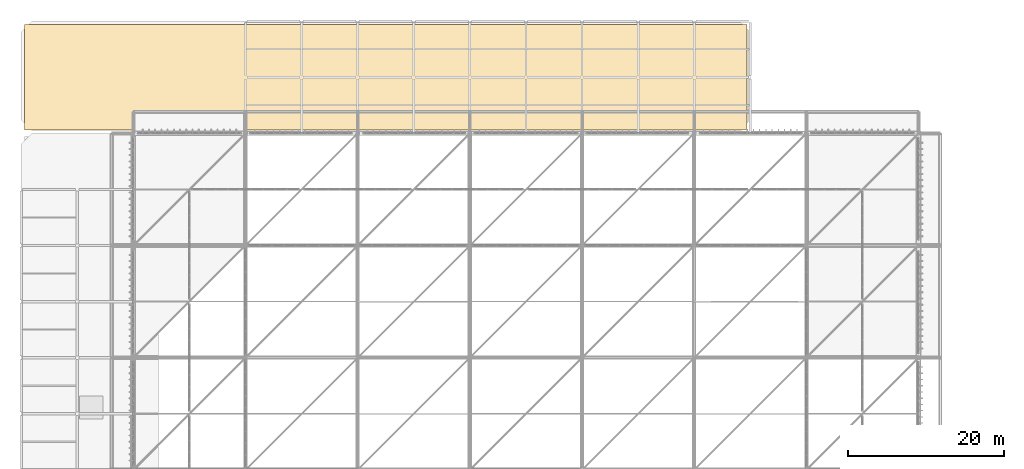
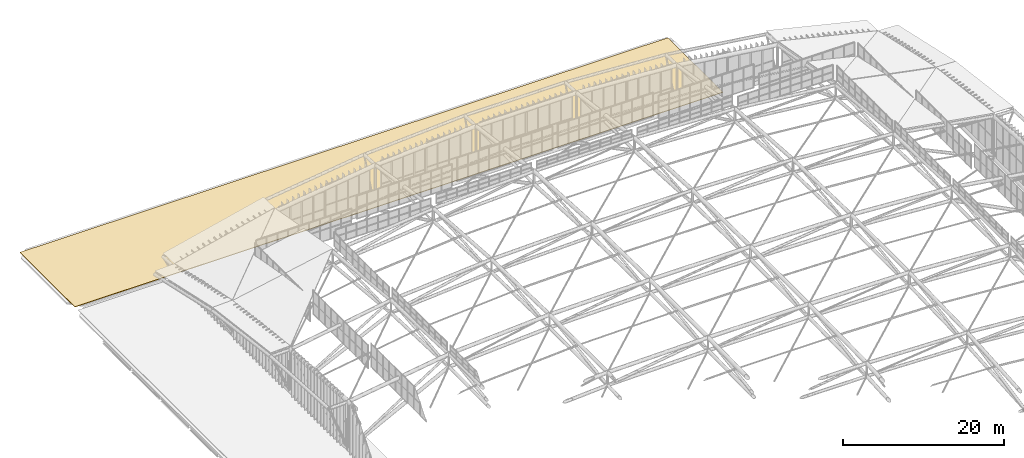
# One storey, part 394 of 397: 1 covering.
"""IFC4 building model written with IfcOpenShell, lengths in metres."""

from ifc_helpers import new_model, si_unit, direction, frame, origin, place, context, subcontext, project, spatial, polyline, outline, extrude, material, layer, layer_set, type_object, element, save


model = new_model("IFC4")

# Units and contexts
model_context = context("Model", 3, precision=1e-05, world=origin(), true_north=direction((0.0, 1.0)))
body_context = subcontext(model_context, "Body", "Model", "MODEL_VIEW")
ifc_project = project(units=[si_unit("LENGTHUNIT", "METRE"), si_unit("AREAUNIT", "SQUARE_METRE"), si_unit("VOLUMEUNIT", "CUBIC_METRE"), si_unit("PLANEANGLEUNIT", "RADIAN"), si_unit("MASSUNIT", "GRAM", prefix="KILO")], contexts=[model_context])

# Site, building, storey
site_placement = place(None, origin())
site = spatial("IfcSite", under=ifc_project, at=site_placement, CompositionType="ELEMENT")
building_placement = place(site_placement, origin())
building = spatial("IfcBuilding", under=site, at=building_placement, Name="Qandorah Velis Arena", CompositionType="ELEMENT")
storey_placement = place(building_placement, frame((0.0, 0.0, 27.5)))
storey = spatial("IfcBuildingStorey", under=building, at=storey_placement, Name="RF", CompositionType="ELEMENT", Elevation=27.5)

# Covering
ifc_material = material(Name="Insulated high-albedo standing-seam aluminium roofing", Category="aluminium")
ifc_layer = layer(ifc_material, 0.080078125)
ifc_layer_set = layer_set([ifc_layer], Name="Insulated high-albedo standing-seam aluminium roofing")
covering_type = type_object("IfcCoveringType", Name="ARC-COV-ROOF", PredefinedType="ROOFING", material=ifc_layer_set)
covering_placement = place(storey_placement, origin())
element("IfcCovering", 1, at=covering_placement, inside=storey, type_object=covering_type, Name="Standing-seam insulated roof covering COV-RF-SKY-N", PredefinedType="ROOFING", context=body_context, shape_type="SweptSolid", body=[
    extrude(outline(polyline([(0.39990234375, 115.60009765625), (93.199951171875, 115.60009765625), (93.199951171875, 129.199951171875), (0.39990234375, 129.199951171875), (0.39990234375, 115.60009765625)])), origin(), (0.0, 0.0, 1.0), 0.080078125),
])

save(model, "model.ifc")
